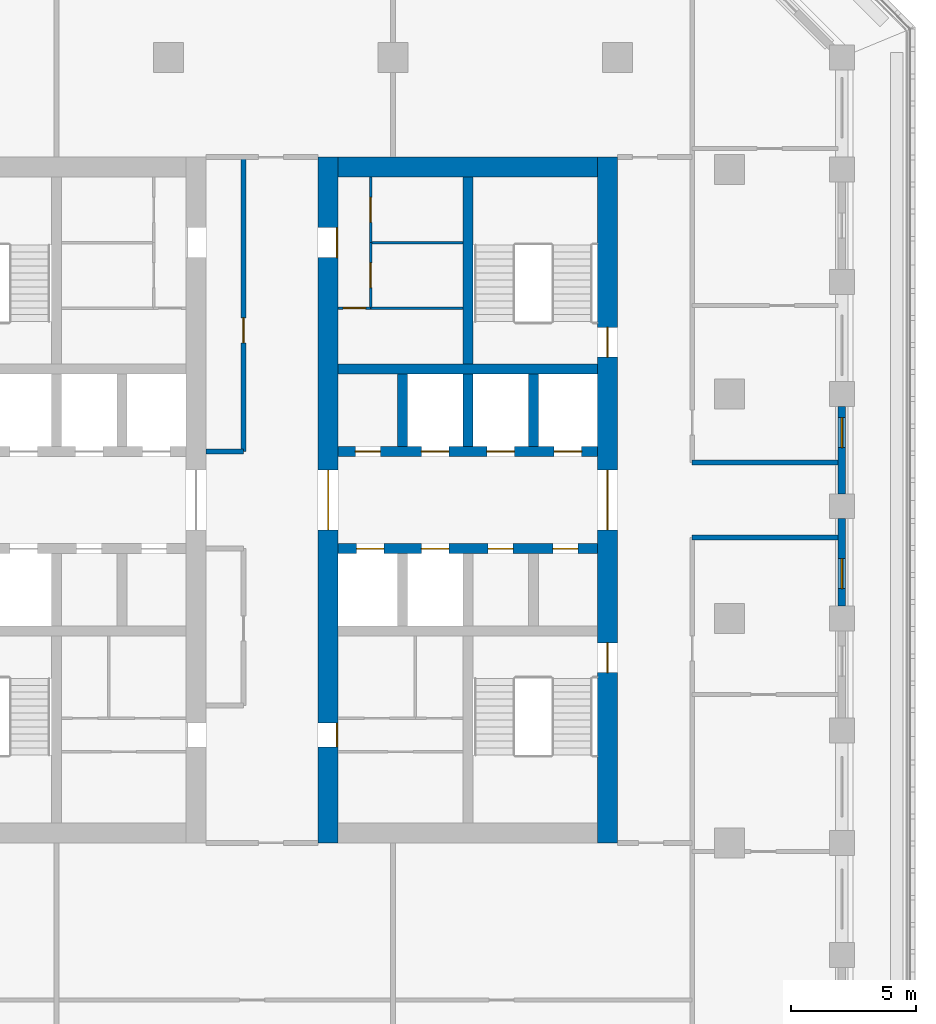
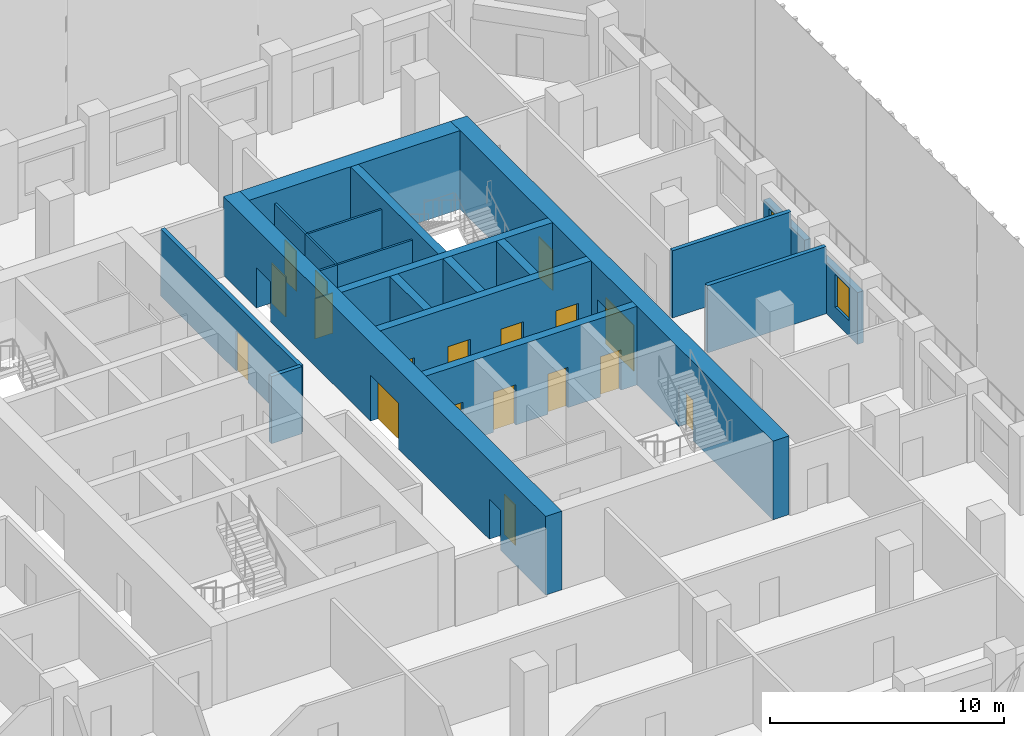
# One storey, part 7 of 18: 21 walls, 18 doors, 2 windows, 20 openings.
"""IFC4 building model written with IfcOpenShell, lengths in metres."""

from ifc_helpers import new_model, si_unit, direction, frame, frame_2d, origin, place, context, subcontext, project, spatial, rectangle, extrude, material, layer, layer_set, type_object, element, fill, save


model = new_model("IFC4")

# Units and contexts
model_context = context("Model", 3, precision=1e-05, world=origin(), true_north=direction((0.0, 1.0)))
body_context = subcontext(model_context, "Body", "Model", "MODEL_VIEW")
ifc_project = project(units=[si_unit("LENGTHUNIT", "METRE"), si_unit("AREAUNIT", "SQUARE_METRE"), si_unit("VOLUMEUNIT", "CUBIC_METRE"), si_unit("PLANEANGLEUNIT", "RADIAN"), si_unit("MASSUNIT", "GRAM", prefix="KILO")], contexts=[model_context])

# Site, building, storey
site_placement = place(None, origin())
site = spatial("IfcSite", under=ifc_project, at=site_placement, CompositionType="ELEMENT")
building_placement = place(site_placement, origin())
building = spatial("IfcBuilding", under=site, at=building_placement, Name="Corbel Stack Research Tower", CompositionType="ELEMENT")
storey_placement = place(building_placement, frame((0.0, 0.0, 181.39990234375)))
storey = spatial("IfcBuildingStorey", under=building, at=storey_placement, Name="L41", CompositionType="ELEMENT", Elevation=181.39990234375)

# Wall, openings, doors
ifc_material_1 = material(Name="Concrete C60/75", Category="concrete")
ifc_layer_1 = layer(ifc_material_1, 0.39990234375)
ifc_layer_set_1 = layer_set([ifc_layer_1], Name="Concrete C60/75")
wall_type_1 = type_object("IfcWallType", Name="CW-400-60", PredefinedType="SHEAR", material=ifc_layer_set_1)
wall_1_placement = place(storey_placement, frame((6.800048828125, 2.800048828125, 0.0), z_axis=(0.0, 0.0, 1.0), x_axis=(1.0, 0.0, 0.0)))
wall_1 = element("IfcWall", 1, at=wall_1_placement, inside=storey, type_object=wall_type_1, Name="East core wall, lobby south L41", PredefinedType="SHEAR", context=body_context, shape_type="SweptSolid", body=[
    extrude(rectangle(XDim=10.39990234375, YDim=0.39990234375, at=frame_2d((5.199951171875, 0.0))), origin(), (0.0, 0.0, 1.0), 4.10009765625),
])
opening_1_placement = place(wall_1_placement, frame((0.737548828125, 0.0, 0.0)))
opening_1 = element("IfcOpeningElement", 2, at=opening_1_placement, cuts=wall_1, Name="Opening LD-FS2", PredefinedType="OPENING", context=body_context, shape_type="SweptSolid", body=[
    extrude(rectangle(XDim=1.10009765625, YDim=2.10009765625, at=frame_2d((0.550048828125, 1.050048828125))), frame((0.0, 0.2099609375, 0.0), z_axis=(0.0, -1.0, 0.0), x_axis=(1.0, 0.0, 0.0)), (0.0, 0.0, 1.0), 0.419921875),
])
opening_2_placement = place(wall_1_placement, frame((3.33740234375, 0.0, 0.0)))
opening_2 = element("IfcOpeningElement", 3, at=opening_2_placement, cuts=wall_1, Name="Opening LD-GL2", PredefinedType="OPENING", context=body_context, shape_type="SweptSolid", body=[
    extrude(rectangle(XDim=1.10009765625, YDim=2.10009765625, at=frame_2d((0.550048828125, 1.050048828125))), frame((0.0, 0.2099609375, 0.0), z_axis=(0.0, -1.0, 0.0), x_axis=(1.0, 0.0, 0.0)), (0.0, 0.0, 1.0), 0.419921875),
])
opening_3_placement = place(wall_1_placement, frame((6.012451171875, 0.0, 0.0)))
opening_3 = element("IfcOpeningElement", 4, at=opening_3_placement, cuts=wall_1, Name="Opening CR-E24-S3", PredefinedType="OPENING", context=body_context, shape_type="SweptSolid", body=[
    extrude(rectangle(XDim=1.0, YDim=2.10009765625, at=frame_2d((0.5, 1.050048828125))), frame((0.0, 0.2099609375, 0.0), z_axis=(0.0, -1.0, 0.0), x_axis=(1.0, 0.0, 0.0)), (0.0, 0.0, 1.0), 0.419921875),
])
opening_4_placement = place(wall_1_placement, frame((8.612548828125, 0.0, 0.0)))
opening_4 = element("IfcOpeningElement", 5, at=opening_4_placement, cuts=wall_1, Name="Opening CR-E24-S4", PredefinedType="OPENING", context=body_context, shape_type="SweptSolid", body=[
    extrude(rectangle(XDim=1.0, YDim=2.10009765625, at=frame_2d((0.5, 1.050048828125))), frame((0.0, 0.2099609375, 0.0), z_axis=(0.0, -1.0, 0.0), x_axis=(1.0, 0.0, 0.0)), (0.0, 0.0, 1.0), 0.419921875),
])
ifc_material_2 = material(Name="Stainless steel landing door", Category="steel")
door_type_1 = type_object("IfcDoorType", Name="Lift landing door 1100 x 2100", OperationType="DOUBLE_DOOR_SLIDING", PredefinedType="DOOR", material=ifc_material_2)
door_1_placement = place(opening_1_placement, origin())
door_1 = element("IfcDoor", 6, at=door_1_placement, inside=storey, type_object=door_type_1, Name="Landing door FS2", OperationType="DOUBLE_DOOR_SLIDING", OverallHeight=2.10009765625, OverallWidth=1.10009765625, PredefinedType="DOOR", context=body_context, shape_type="SweptSolid", body=[
    extrude(rectangle(XDim=1.10009765625, YDim=2.10009765625, at=frame_2d((0.550048828125, 1.050048828125))), frame((0.0, 0.02490234375, 0.0), z_axis=(0.0, -1.0, 0.0), x_axis=(1.0, 0.0, 0.0)), (0.0, 0.0, 1.0), 0.050048828125),
])
fill(opening_1, door_1)
door_2_placement = place(opening_2_placement, origin())
door_2 = element("IfcDoor", 7, at=door_2_placement, inside=storey, type_object=door_type_1, Name="Landing door GL2", OperationType="DOUBLE_DOOR_SLIDING", OverallHeight=2.10009765625, OverallWidth=1.10009765625, PredefinedType="DOOR", context=body_context, shape_type="SweptSolid", body=[
    extrude(rectangle(XDim=1.10009765625, YDim=2.10009765625, at=frame_2d((0.550048828125, 1.050048828125))), frame((0.0, 0.02490234375, 0.0), z_axis=(0.0, -1.0, 0.0), x_axis=(1.0, 0.0, 0.0)), (0.0, 0.0, 1.0), 0.050048828125),
])
fill(opening_2, door_2)
ifc_material_3 = material(Name="Painted steel door", Category="steel")
door_type_2 = type_object("IfcDoorType", Name="Service door 1000 x 2100 FD60 left hand", OperationType="SINGLE_SWING_LEFT", PredefinedType="DOOR", material=ifc_material_3)
door_3_placement = place(opening_3_placement, origin())
door_3 = element("IfcDoor", 8, at=door_3_placement, inside=storey, type_object=door_type_2, Name="Records store door E core", OperationType="SINGLE_SWING_LEFT", OverallHeight=2.10009765625, OverallWidth=1.0, PredefinedType="DOOR", context=body_context, shape_type="SweptSolid", body=[
    extrude(rectangle(XDim=1.0, YDim=2.10009765625, at=frame_2d((0.5, 1.050048828125))), frame((0.0, 0.02490234375, 0.0), z_axis=(0.0, -1.0, 0.0), x_axis=(1.0, 0.0, 0.0)), (0.0, 0.0, 1.0), 0.050048828125),
])
fill(opening_3, door_3)
ifc_material_4 = material(Name="Painted steel door", Category="steel")
door_type_3 = type_object("IfcDoorType", Name="Service door 1000 x 2100 FD60 right hand", OperationType="SINGLE_SWING_RIGHT", PredefinedType="DOOR", material=ifc_material_4)
door_4_placement = place(opening_4_placement, origin())
door_4 = element("IfcDoor", 9, at=door_4_placement, inside=storey, type_object=door_type_3, Name="Electrical room door E core", OperationType="SINGLE_SWING_RIGHT", OverallHeight=2.10009765625, OverallWidth=1.0, PredefinedType="DOOR", context=body_context, shape_type="SweptSolid", body=[
    extrude(rectangle(XDim=1.0, YDim=2.10009765625, at=frame_2d((0.5, 1.050048828125))), frame((0.0, 0.02490234375, 0.0), z_axis=(0.0, -1.0, 0.0), x_axis=(1.0, 0.0, 0.0)), (0.0, 0.0, 1.0), 0.050048828125),
])
fill(opening_4, door_4)

wall_2_placement = place(storey_placement, frame((6.800048828125, 6.699951171875, 0.0), z_axis=(0.0, 0.0, 1.0), x_axis=(1.0, 0.0, 0.0)))
wall_2 = element("IfcWall", 10, at=wall_2_placement, inside=storey, type_object=wall_type_1, Name="East core wall, lobby north L41", PredefinedType="SHEAR", context=body_context, shape_type="SweptSolid", body=[
    extrude(rectangle(XDim=10.39990234375, YDim=0.39990234375, at=frame_2d((5.199951171875, 0.0))), origin(), (0.0, 0.0, 1.0), 4.10009765625),
])
opening_5_placement = place(wall_2_placement, frame((3.33740234375, 0.0, 0.0)))
opening_5 = element("IfcOpeningElement", 11, at=opening_5_placement, cuts=wall_2, Name="Opening LD-HR4", PredefinedType="OPENING", context=body_context, shape_type="SweptSolid", body=[
    extrude(rectangle(XDim=1.10009765625, YDim=2.10009765625, at=frame_2d((0.550048828125, 1.050048828125))), frame((0.0, 0.2099609375, 0.0), z_axis=(0.0, -1.0, 0.0), x_axis=(1.0, 0.0, 0.0)), (0.0, 0.0, 1.0), 0.419921875),
])
opening_6_placement = place(wall_2_placement, frame((5.96240234375, 0.0, 0.0)))
opening_6 = element("IfcOpeningElement", 12, at=opening_6_placement, cuts=wall_2, Name="Opening LD-HR5", PredefinedType="OPENING", context=body_context, shape_type="SweptSolid", body=[
    extrude(rectangle(XDim=1.10009765625, YDim=2.10009765625, at=frame_2d((0.550048828125, 1.050048828125))), frame((0.0, 0.2099609375, 0.0), z_axis=(0.0, -1.0, 0.0), x_axis=(1.0, 0.0, 0.0)), (0.0, 0.0, 1.0), 0.419921875),
])
opening_7_placement = place(wall_2_placement, frame((8.66259765625, 0.0, 0.0)))
opening_7 = element("IfcOpeningElement", 13, at=opening_7_placement, cuts=wall_2, Name="Opening LD-HR6", PredefinedType="OPENING", context=body_context, shape_type="SweptSolid", body=[
    extrude(rectangle(XDim=1.10009765625, YDim=2.10009765625, at=frame_2d((0.550048828125, 1.050048828125))), frame((0.0, 0.2099609375, 0.0), z_axis=(0.0, -1.0, 0.0), x_axis=(1.0, 0.0, 0.0)), (0.0, 0.0, 1.0), 0.419921875),
])
opening_8_placement = place(wall_2_placement, frame((0.6875, 0.0, 0.0)))
opening_8 = element("IfcOpeningElement", 14, at=opening_8_placement, cuts=wall_2, Name="Opening CR-E24-N1", PredefinedType="OPENING", context=body_context, shape_type="SweptSolid", body=[
    extrude(rectangle(XDim=1.0, YDim=2.10009765625, at=frame_2d((0.5, 1.050048828125))), frame((0.0, 0.2099609375, 0.0), z_axis=(0.0, -1.0, 0.0), x_axis=(1.0, 0.0, 0.0)), (0.0, 0.0, 1.0), 0.419921875),
])
door_5_placement = place(opening_5_placement, origin())
door_5 = element("IfcDoor", 15, at=door_5_placement, inside=storey, type_object=door_type_1, Name="Landing door HR4", OperationType="DOUBLE_DOOR_SLIDING", OverallHeight=2.10009765625, OverallWidth=1.10009765625, PredefinedType="DOOR", context=body_context, shape_type="SweptSolid", body=[
    extrude(rectangle(XDim=1.10009765625, YDim=2.10009765625, at=frame_2d((0.550048828125, 1.050048828125))), frame((0.0, 0.02490234375, 0.0), z_axis=(0.0, -1.0, 0.0), x_axis=(1.0, 0.0, 0.0)), (0.0, 0.0, 1.0), 0.050048828125),
])
fill(opening_5, door_5)
door_6_placement = place(opening_6_placement, origin())
door_6 = element("IfcDoor", 16, at=door_6_placement, inside=storey, type_object=door_type_1, Name="Landing door HR5", OperationType="DOUBLE_DOOR_SLIDING", OverallHeight=2.10009765625, OverallWidth=1.10009765625, PredefinedType="DOOR", context=body_context, shape_type="SweptSolid", body=[
    extrude(rectangle(XDim=1.10009765625, YDim=2.10009765625, at=frame_2d((0.550048828125, 1.050048828125))), frame((0.0, 0.02490234375, 0.0), z_axis=(0.0, -1.0, 0.0), x_axis=(1.0, 0.0, 0.0)), (0.0, 0.0, 1.0), 0.050048828125),
])
fill(opening_6, door_6)
door_7_placement = place(opening_7_placement, origin())
door_7 = element("IfcDoor", 17, at=door_7_placement, inside=storey, type_object=door_type_1, Name="Landing door HR6", OperationType="DOUBLE_DOOR_SLIDING", OverallHeight=2.10009765625, OverallWidth=1.10009765625, PredefinedType="DOOR", context=body_context, shape_type="SweptSolid", body=[
    extrude(rectangle(XDim=1.10009765625, YDim=2.10009765625, at=frame_2d((0.550048828125, 1.050048828125))), frame((0.0, 0.02490234375, 0.0), z_axis=(0.0, -1.0, 0.0), x_axis=(1.0, 0.0, 0.0)), (0.0, 0.0, 1.0), 0.050048828125),
])
fill(opening_7, door_7)
door_8_placement = place(opening_8_placement, origin())
door_8 = element("IfcDoor", 18, at=door_8_placement, inside=storey, type_object=door_type_2, Name="Pantry door E core", OperationType="SINGLE_SWING_LEFT", OverallHeight=2.10009765625, OverallWidth=1.0, PredefinedType="DOOR", context=body_context, shape_type="SweptSolid", body=[
    extrude(rectangle(XDim=1.0, YDim=2.10009765625, at=frame_2d((0.5, 1.050048828125))), frame((0.0, 0.02490234375, 0.0), z_axis=(0.0, -1.0, 0.0), x_axis=(1.0, 0.0, 0.0)), (0.0, 0.0, 1.0), 0.050048828125),
])
fill(opening_8, door_8)

# Walls
wall_3_placement = place(storey_placement, frame((6.800048828125, 10.0, 0.0), z_axis=(0.0, 0.0, 1.0), x_axis=(1.0, 0.0, 0.0)))
element("IfcWall", 19, at=wall_3_placement, inside=storey, type_object=wall_type_1, Name="East core wall, north row back L41", PredefinedType="SHEAR", context=body_context, shape_type="SweptSolid", body=[
    extrude(rectangle(XDim=10.39990234375, YDim=0.39990234375, at=frame_2d((5.199951171875, 0.0))), origin(), (0.0, 0.0, 1.0), 4.10009765625),
])
for number, where, z_axis, x_axis, name in (
    (20, (9.375, 6.89990234375, 0.0), (0.0, 0.0, 1.0), (0.0, 1.0, 0.0), "East core wall, north shaft 1 L41"),
    (21, (12.0, 6.89990234375, 0.0), (0.0, 0.0, 1.0), (0.0, 1.0, 0.0), "East core wall, north shaft 2 L41"),
    (22, (14.625, 6.89990234375, 0.0), (0.0, 0.0, 1.0), (0.0, 1.0, 0.0), "East core wall, north shaft 3 L41"),
):
    element("IfcWall", number, at=place(storey_placement, frame(where, z_axis=z_axis, x_axis=x_axis)), inside=storey, type_object=wall_type_1, Name=name, PredefinedType="SHEAR", context=body_context, shape_type="SweptSolid", body=[
        extrude(rectangle(XDim=2.900146484375, YDim=0.39990234375, at=frame_2d((1.4501953125, 0.0))), origin(), (0.0, 0.0, 1.0), 4.10009765625),
    ])
wall_4_placement = place(storey_placement, frame((12.0, 10.199951171875, 0.0), z_axis=(0.0, 0.0, 1.0), x_axis=(0.0, 1.0, 0.0)))
element("IfcWall", 23, at=wall_4_placement, inside=storey, type_object=wall_type_1, Name="East core wall, north stair and riser L41", PredefinedType="SHEAR", context=body_context, shape_type="SweptSolid", body=[
    extrude(rectangle(XDim=7.5, YDim=0.39990234375, at=frame_2d((3.75, 0.0))), origin(), (0.0, 0.0, 1.0), 4.10009765625),
])

# Wall, openings, doors
ifc_material_5 = material(Name="Concrete C60/75", Category="concrete")
ifc_layer_2 = layer(ifc_material_5, 0.800048828125)
ifc_layer_set_2 = layer_set([ifc_layer_2], Name="Concrete C60/75")
wall_type_2 = type_object("IfcWallType", Name="CW-800-60", PredefinedType="SHEAR", material=ifc_layer_set_2)
wall_5_placement = place(storey_placement, frame((6.39990234375, -9.0, 0.0), z_axis=(0.0, 0.0, 1.0), x_axis=(0.0, 1.0, 0.0)))
wall_5 = element("IfcWall", 24, at=wall_5_placement, inside=storey, type_object=wall_type_2, Name="East core wall, west face L41", PredefinedType="SHEAR", context=body_context, shape_type="SweptSolid", body=[
    extrude(rectangle(XDim=27.5, YDim=0.800048828125, at=frame_2d((13.75, 0.0))), origin(), (0.0, 0.0, 1.0), 4.10009765625),
])
opening_9_placement = place(wall_5_placement, frame((12.550048828125, 0.0, 0.0)))
opening_9 = element("IfcOpeningElement", 25, at=opening_9_placement, cuts=wall_5, Name="Opening CD-E-W", PredefinedType="OPENING", context=body_context, shape_type="SweptSolid", body=[
    extrude(rectangle(XDim=2.39990234375, YDim=2.39990234375, at=frame_2d((1.199951171875, 1.199951171875))), frame((0.0, 0.409912109375, 0.0), z_axis=(0.0, -1.0, 0.0), x_axis=(1.0, 0.0, 0.0)), (0.0, 0.0, 1.0), 0.820068359375),
])
opening_10_placement = place(wall_5_placement, frame((3.85009765625, 0.0, 0.0)))
opening_10 = element("IfcOpeningElement", 26, at=opening_10_placement, cuts=wall_5, Name="Opening CR-E24-W1-950", PredefinedType="OPENING", context=body_context, shape_type="SweptSolid", body=[
    extrude(rectangle(XDim=0.949951171875, YDim=2.10009765625, at=frame_2d((0.47509765625, 1.050048828125))), frame((0.0, 0.409912109375, 0.0), z_axis=(0.0, -1.0, 0.0), x_axis=(1.0, 0.0, 0.0)), (0.0, 0.0, 1.0), 0.820068359375),
])
opening_11_placement = place(wall_5_placement, frame((23.47509765625, 0.0, 0.0)))
opening_11 = element("IfcOpeningElement", 27, at=opening_11_placement, cuts=wall_5, Name="Opening CR-E24-R2-1200", PredefinedType="OPENING", context=body_context, shape_type="SweptSolid", body=[
    extrude(rectangle(XDim=1.199951171875, YDim=2.10009765625, at=frame_2d((0.60009765625, 1.050048828125))), frame((0.0, 0.409912109375, 0.0), z_axis=(0.0, -1.0, 0.0), x_axis=(1.0, 0.0, 0.0)), (0.0, 0.0, 1.0), 0.820068359375),
])
ifc_material_6 = material(Name="Painted steel fire door", Category="steel")
door_type_4 = type_object("IfcDoorType", Name="Lobby door pair 2400 x 2400 FD30S", OperationType="DOUBLE_DOOR_DOUBLE_SWING", PredefinedType="DOOR", material=ifc_material_6)
door_9_placement = place(opening_9_placement, origin())
door_9 = element("IfcDoor", 28, at=door_9_placement, inside=storey, type_object=door_type_4, Name="Lift lobby door E core W", OperationType="DOUBLE_DOOR_DOUBLE_SWING", OverallHeight=2.39990234375, OverallWidth=2.39990234375, PredefinedType="DOOR", context=body_context, shape_type="SweptSolid", body=[
    extrude(rectangle(XDim=2.39990234375, YDim=2.39990234375, at=frame_2d((1.199951171875, 1.199951171875))), frame((0.0, 0.02490234375, 0.0), z_axis=(0.0, -1.0, 0.0), x_axis=(1.0, 0.0, 0.0)), (0.0, 0.0, 1.0), 0.050048828125),
])
fill(opening_9, door_9)
ifc_material_7 = material(Name="Painted steel door", Category="steel")
door_type_5 = type_object("IfcDoorType", Name="Service door 1200 x 2100 FD30 left hand", OperationType="SINGLE_SWING_LEFT", PredefinedType="DOOR", material=ifc_material_7)
door_10_placement = place(opening_11_placement, origin())
door_10 = element("IfcDoor", 29, at=door_10_placement, inside=storey, type_object=door_type_5, Name="Service passage door E core", OperationType="SINGLE_SWING_LEFT", OverallHeight=2.10009765625, OverallWidth=1.199951171875, PredefinedType="DOOR", context=body_context, shape_type="SweptSolid", body=[
    extrude(rectangle(XDim=1.199951171875, YDim=2.10009765625, at=frame_2d((0.60009765625, 1.050048828125))), frame((0.0, -0.3251953125, 0.0), z_axis=(0.0, -1.0, 0.0), x_axis=(1.0, 0.0, 0.0)), (0.0, 0.0, 1.0), 0.050048828125),
])
fill(opening_11, door_10)
ifc_material_8 = material(Name="Painted timber door", Category="wood")
door_type_6 = type_object("IfcDoorType", Name="WC door 950 x 2100 right hand", OperationType="SINGLE_SWING_RIGHT", PredefinedType="DOOR", material=ifc_material_8)
door_11_placement = place(opening_10_placement, origin())
door_11 = element("IfcDoor", 30, at=door_11_placement, inside=storey, type_object=door_type_6, Name="WC lobby door E core", OperationType="SINGLE_SWING_RIGHT", OverallHeight=2.10009765625, OverallWidth=0.949951171875, PredefinedType="DOOR", context=body_context, shape_type="SweptSolid", body=[
    extrude(rectangle(XDim=0.949951171875, YDim=2.10009765625, at=frame_2d((0.47509765625, 1.050048828125))), frame((0.0, -0.3251953125, 0.0), z_axis=(0.0, -1.0, 0.0), x_axis=(1.0, 0.0, 0.0)), (0.0, 0.0, 1.0), 0.050048828125),
])
fill(opening_10, door_11)

wall_6_placement = place(storey_placement, frame((17.60009765625, -9.0, 0.0), z_axis=(0.0, 0.0, 1.0), x_axis=(0.0, 1.0, 0.0)))
wall_6 = element("IfcWall", 31, at=wall_6_placement, inside=storey, type_object=wall_type_2, Name="East core wall, east face L41", PredefinedType="SHEAR", context=body_context, shape_type="SweptSolid", body=[
    extrude(rectangle(XDim=27.5, YDim=0.800048828125, at=frame_2d((13.75, 0.0))), origin(), (0.0, 0.0, 1.0), 4.10009765625),
])
opening_12_placement = place(wall_6_placement, frame((12.550048828125, 0.0, 0.0)))
opening_12 = element("IfcOpeningElement", 32, at=opening_12_placement, cuts=wall_6, Name="Opening CD-E-E", PredefinedType="OPENING", context=body_context, shape_type="SweptSolid", body=[
    extrude(rectangle(XDim=2.39990234375, YDim=2.39990234375, at=frame_2d((1.199951171875, 1.199951171875))), frame((0.0, 0.409912109375, 0.0), z_axis=(0.0, -1.0, 0.0), x_axis=(1.0, 0.0, 0.0)), (0.0, 0.0, 1.0), 0.820068359375),
])
opening_13_placement = place(wall_6_placement, frame((6.824951171875, 0.0, 0.0)))
opening_13 = element("IfcOpeningElement", 33, at=opening_13_placement, cuts=wall_6, Name="Opening SD-ST-E1", PredefinedType="OPENING", context=body_context, shape_type="SweptSolid", body=[
    extrude(rectangle(XDim=1.199951171875, YDim=2.10009765625, at=frame_2d((0.60009765625, 1.050048828125))), frame((0.0, 0.409912109375, 0.0), z_axis=(0.0, -1.0, 0.0), x_axis=(1.0, 0.0, 0.0)), (0.0, 0.0, 1.0), 0.820068359375),
])
opening_14_placement = place(wall_6_placement, frame((19.47509765625, 0.0, 0.0)))
opening_14 = element("IfcOpeningElement", 34, at=opening_14_placement, cuts=wall_6, Name="Opening SD-ST-E2", PredefinedType="OPENING", context=body_context, shape_type="SweptSolid", body=[
    extrude(rectangle(XDim=1.199951171875, YDim=2.10009765625, at=frame_2d((0.60009765625, 1.050048828125))), frame((0.0, 0.409912109375, 0.0), z_axis=(0.0, -1.0, 0.0), x_axis=(1.0, 0.0, 0.0)), (0.0, 0.0, 1.0), 0.820068359375),
])
door_12_placement = place(opening_12_placement, origin())
door_12 = element("IfcDoor", 35, at=door_12_placement, inside=storey, type_object=door_type_4, Name="Lift lobby door E core E", OperationType="DOUBLE_DOOR_DOUBLE_SWING", OverallHeight=2.39990234375, OverallWidth=2.39990234375, PredefinedType="DOOR", context=body_context, shape_type="SweptSolid", body=[
    extrude(rectangle(XDim=2.39990234375, YDim=2.39990234375, at=frame_2d((1.199951171875, 1.199951171875))), frame((0.0, 0.02490234375, 0.0), z_axis=(0.0, -1.0, 0.0), x_axis=(1.0, 0.0, 0.0)), (0.0, 0.0, 1.0), 0.050048828125),
])
fill(opening_12, door_12)
ifc_material_9 = material(Name="Painted steel fire door", Category="steel")
door_type_7 = type_object("IfcDoorType", Name="Stair door 1200 x 2100 FD90 right hand", OperationType="SINGLE_SWING_RIGHT", PredefinedType="DOOR", material=ifc_material_9)
door_13_placement = place(opening_13_placement, frame((1.199951171875, 0.0, 0.0), z_axis=(0.0, 0.0, 1.0), x_axis=(-1.0, 0.0, 0.0)))
door_13 = element("IfcDoor", 36, at=door_13_placement, inside=storey, type_object=door_type_7, Name="Stair door ST-E1", OperationType="SINGLE_SWING_LEFT", OverallHeight=2.10009765625, OverallWidth=1.199951171875, PredefinedType="DOOR", context=body_context, shape_type="SweptSolid", body=[
    extrude(rectangle(XDim=1.199951171875, YDim=2.10009765625, at=frame_2d((0.60009765625, 1.050048828125))), frame((0.0, 0.02490234375, 0.0), z_axis=(0.0, -1.0, 0.0), x_axis=(1.0, 0.0, 0.0)), (0.0, 0.0, 1.0), 0.050048828125),
])
fill(opening_13, door_13)
door_14_placement = place(opening_14_placement, frame((1.199951171875, 0.0, 0.0), z_axis=(0.0, 0.0, 1.0), x_axis=(-1.0, 0.0, 0.0)))
door_14 = element("IfcDoor", 37, at=door_14_placement, inside=storey, type_object=door_type_7, Name="Stair door ST-E2", OperationType="SINGLE_SWING_LEFT", OverallHeight=2.10009765625, OverallWidth=1.199951171875, PredefinedType="DOOR", context=body_context, shape_type="SweptSolid", body=[
    extrude(rectangle(XDim=1.199951171875, YDim=2.10009765625, at=frame_2d((0.60009765625, 1.050048828125))), frame((0.0, 0.02490234375, 0.0), z_axis=(0.0, -1.0, 0.0), x_axis=(1.0, 0.0, 0.0)), (0.0, 0.0, 1.0), 0.050048828125),
])
fill(opening_14, door_14)

# Wall
wall_7_placement = place(storey_placement, frame((6.800048828125, 18.10009765625, 0.0), z_axis=(0.0, 0.0, 1.0), x_axis=(1.0, 0.0, 0.0)))
element("IfcWall", 38, at=wall_7_placement, inside=storey, type_object=wall_type_2, Name="East core wall, north end L41", PredefinedType="SHEAR", context=body_context, shape_type="SweptSolid", body=[
    extrude(rectangle(XDim=10.39990234375, YDim=0.800048828125, at=frame_2d((5.199951171875, 0.0))), origin(), (0.0, 0.0, 1.0), 4.10009765625),
])

# Wall, opening, door
ifc_material_10 = material(Name="Gypsum board")
ifc_layer_3 = layer(ifc_material_10, 0.10009765625)
ifc_layer_set_3 = layer_set([ifc_layer_3], Name="Gypsum board")
wall_type_3 = type_object("IfcWallType", Name="Core partition 100", PredefinedType="PARTITIONING", material=ifc_layer_set_3)
wall_8_placement = place(storey_placement, frame((6.800048828125, 12.449951171875, 0.0), z_axis=(0.0, 0.0, 1.0), x_axis=(1.0, 0.0, 0.0)))
wall_8 = element("IfcWall", 39, at=wall_8_placement, inside=storey, type_object=wall_type_3, Name="Core partition E", PredefinedType="PARTITIONING", context=body_context, shape_type="SweptSolid", body=[
    extrude(rectangle(XDim=1.300048828125, YDim=0.10009765625, at=frame_2d((0.64990234375, 0.0))), origin(), (0.0, 0.0, 1.0), 3.5),
])
opening_15_placement = place(wall_8_placement, frame((0.199951171875, 0.0, 0.0)))
opening_15 = element("IfcOpeningElement", 40, at=opening_15_placement, cuts=wall_8, Name="Opening CR-E24-R1-900", PredefinedType="OPENING", context=body_context, shape_type="SweptSolid", body=[
    extrude(rectangle(XDim=0.89990234375, YDim=2.10009765625, at=frame_2d((0.449951171875, 1.050048828125))), frame((0.0, 0.06005859375, 0.0), z_axis=(0.0, -1.0, 0.0), x_axis=(1.0, 0.0, 0.0)), (0.0, 0.0, 1.0), 0.1201171875),
])
ifc_material_11 = material(Name="Painted steel door", Category="steel")
door_type_8 = type_object("IfcDoorType", Name="Riser door 900 x 2100 FD60 right hand", OperationType="SINGLE_SWING_RIGHT", PredefinedType="DOOR", material=ifc_material_11)
door_15_placement = place(opening_15_placement, origin())
door_15 = element("IfcDoor", 41, at=door_15_placement, inside=storey, type_object=door_type_8, Name="Electrical riser door E core", OperationType="SINGLE_SWING_RIGHT", OverallHeight=2.10009765625, OverallWidth=0.89990234375, PredefinedType="DOOR", context=body_context, shape_type="SweptSolid", body=[
    extrude(rectangle(XDim=0.89990234375, YDim=2.10009765625, at=frame_2d((0.449951171875, 1.050048828125))), frame((0.0, 0.02490234375, 0.0), z_axis=(0.0, -1.0, 0.0), x_axis=(1.0, 0.0, 0.0)), (0.0, 0.0, 1.0), 0.050048828125),
])
fill(opening_15, door_15)

# Wall
wall_9_placement = place(storey_placement, frame((8.10009765625, 12.449951171875, 0.0), z_axis=(0.0, 0.0, 1.0), x_axis=(1.0, 0.0, 0.0)))
element("IfcWall", 42, at=wall_9_placement, inside=storey, type_object=wall_type_3, Name="Core partition E", PredefinedType="PARTITIONING", context=body_context, shape_type="SweptSolid", body=[
    extrude(rectangle(XDim=3.699951171875, YDim=0.10009765625, at=frame_2d((1.85009765625, 0.0))), origin(), (0.0, 0.0, 1.0), 3.5),
])

# Wall, opening, door
wall_10_placement = place(storey_placement, frame((8.10009765625, 12.449951171875, 0.0), z_axis=(0.0, 0.0, 1.0), x_axis=(0.0, 1.0, 0.0)))
wall_10 = element("IfcWall", 43, at=wall_10_placement, inside=storey, type_object=wall_type_3, Name="Core partition E", PredefinedType="PARTITIONING", context=body_context, shape_type="SweptSolid", body=[
    extrude(rectangle(XDim=2.625, YDim=0.10009765625, at=frame_2d((1.3125, 0.0))), origin(), (0.0, 0.0, 1.0), 3.5),
])
opening_16_placement = place(wall_10_placement, frame((0.8125, 0.0, 0.0)))
opening_16 = element("IfcOpeningElement", 44, at=opening_16_placement, cuts=wall_10, Name="Opening CR-E24-R3-1000", PredefinedType="OPENING", context=body_context, shape_type="SweptSolid", body=[
    extrude(rectangle(XDim=1.0, YDim=2.10009765625, at=frame_2d((0.5, 1.050048828125))), frame((0.0, 0.06005859375, 0.0), z_axis=(0.0, -1.0, 0.0), x_axis=(1.0, 0.0, 0.0)), (0.0, 0.0, 1.0), 0.1201171875),
])
ifc_material_12 = material(Name="Painted steel door", Category="steel")
door_type_9 = type_object("IfcDoorType", Name="Service door 1000 x 2100 FD30 right hand", OperationType="SINGLE_SWING_RIGHT", PredefinedType="DOOR", material=ifc_material_12)
door_16_placement = place(opening_16_placement, origin())
door_16 = element("IfcDoor", 45, at=door_16_placement, inside=storey, type_object=door_type_9, Name="Pantry door E core", OperationType="SINGLE_SWING_RIGHT", OverallHeight=2.10009765625, OverallWidth=1.0, PredefinedType="DOOR", context=body_context, shape_type="SweptSolid", body=[
    extrude(rectangle(XDim=1.0, YDim=2.10009765625, at=frame_2d((0.5, 1.050048828125))), frame((0.0, 0.02490234375, 0.0), z_axis=(0.0, -1.0, 0.0), x_axis=(1.0, 0.0, 0.0)), (0.0, 0.0, 1.0), 0.050048828125),
])
fill(opening_16, door_16)

wall_11_placement = place(storey_placement, frame((8.10009765625, 15.074951171875, 0.0), z_axis=(0.0, 0.0, 1.0), x_axis=(0.0, 1.0, 0.0)))
wall_11 = element("IfcWall", 46, at=wall_11_placement, inside=storey, type_object=wall_type_3, Name="Core partition E", PredefinedType="PARTITIONING", context=body_context, shape_type="SweptSolid", body=[
    extrude(rectangle(XDim=2.625, YDim=0.10009765625, at=frame_2d((1.3125, 0.0))), origin(), (0.0, 0.0, 1.0), 3.5),
])
opening_17_placement = place(wall_11_placement, frame((0.8125, 0.0, 0.0)))
opening_17 = element("IfcOpeningElement", 47, at=opening_17_placement, cuts=wall_11, Name="Opening CR-E24-R4-1000", PredefinedType="OPENING", context=body_context, shape_type="SweptSolid", body=[
    extrude(rectangle(XDim=1.0, YDim=2.10009765625, at=frame_2d((0.5, 1.050048828125))), frame((0.0, 0.06005859375, 0.0), z_axis=(0.0, -1.0, 0.0), x_axis=(1.0, 0.0, 0.0)), (0.0, 0.0, 1.0), 0.1201171875),
])
ifc_material_13 = material(Name="Painted steel door", Category="steel")
door_type_10 = type_object("IfcDoorType", Name="Service door 1000 x 2100 FD30 left hand", OperationType="SINGLE_SWING_LEFT", PredefinedType="DOOR", material=ifc_material_13)
door_17_placement = place(opening_17_placement, origin())
door_17 = element("IfcDoor", 48, at=door_17_placement, inside=storey, type_object=door_type_10, Name="Copy and supply store door E core", OperationType="SINGLE_SWING_LEFT", OverallHeight=2.10009765625, OverallWidth=1.0, PredefinedType="DOOR", context=body_context, shape_type="SweptSolid", body=[
    extrude(rectangle(XDim=1.0, YDim=2.10009765625, at=frame_2d((0.5, 1.050048828125))), frame((0.0, 0.02490234375, 0.0), z_axis=(0.0, -1.0, 0.0), x_axis=(1.0, 0.0, 0.0)), (0.0, 0.0, 1.0), 0.050048828125),
])
fill(opening_17, door_17)

# Wall
wall_12_placement = place(storey_placement, frame((8.10009765625, 15.074951171875, 0.0), z_axis=(0.0, 0.0, 1.0), x_axis=(1.0, 0.0, 0.0)))
element("IfcWall", 49, at=wall_12_placement, inside=storey, type_object=wall_type_3, Name="Core partition E", PredefinedType="PARTITIONING", context=body_context, shape_type="SweptSolid", body=[
    extrude(rectangle(XDim=3.699951171875, YDim=0.10009765625, at=frame_2d((1.85009765625, 0.0))), origin(), (0.0, 0.0, 1.0), 3.5),
])

# Wall, opening, door
ifc_material_14 = material(Name="Fire-rated gypsum board partition on steel studs", Category="steel")
ifc_layer_4 = layer(ifc_material_14, 0.199951171875)
ifc_layer_set_4 = layer_set([ifc_layer_4], Name="Fire-rated gypsum board partition on steel studs")
wall_type_4 = type_object("IfcWallType", Name="Fire-rated partition 200 EI 60", PredefinedType="PARTITIONING", material=ifc_layer_set_4)
wall_13_placement = place(storey_placement, frame((3.0, 6.699951171875, 0.0), z_axis=(0.0, 0.0, 1.0), x_axis=(0.0, 1.0, 0.0)))
wall_13 = element("IfcWall", 50, at=wall_13_placement, inside=storey, type_object=wall_type_4, Name="Partition L41-014", PredefinedType="PARTITIONING", context=body_context, shape_type="SweptSolid", body=[
    extrude(rectangle(XDim=11.800048828125, YDim=0.199951171875, at=frame_2d((5.89990234375, 0.0))), origin(), (0.0, 0.0, 1.0), 3.5),
])
opening_18_placement = place(wall_13_placement, frame((4.35009765625, 0.0, 0.0)))
opening_18 = element("IfcOpeningElement", 51, at=opening_18_placement, cuts=wall_13, Name="Opening B5V2-019", PredefinedType="OPENING", context=body_context, shape_type="SweptSolid", body=[
    extrude(rectangle(XDim=1.0, YDim=2.10009765625, at=frame_2d((0.5, 1.050048828125))), frame((0.0, 0.10986328125, 0.0), z_axis=(0.0, -1.0, 0.0), x_axis=(1.0, 0.0, 0.0)), (0.0, 0.0, 1.0), 0.219970703125),
])
ifc_material_15 = material(Name="Painted steel fire door", Category="steel")
door_type_11 = type_object("IfcDoorType", Name="Fire door FD30S 1000 x 2100", OperationType="NOTDEFINED", PredefinedType="DOOR", material=ifc_material_15)
door_18_placement = place(opening_18_placement, origin())
door_18 = element("IfcDoor", 52, at=door_18_placement, inside=storey, type_object=door_type_11, Name="Door B5V2-019", OperationType="SINGLE_SWING_LEFT", OverallHeight=2.10009765625, OverallWidth=1.0, PredefinedType="DOOR", context=body_context, shape_type="SweptSolid", body=[
    extrude(rectangle(XDim=1.0, YDim=2.10009765625, at=frame_2d((0.5, 1.050048828125))), frame((0.0, 0.02490234375, 0.0), z_axis=(0.0, -1.0, 0.0), x_axis=(1.0, 0.0, 0.0)), (0.0, 0.0, 1.0), 0.050048828125),
])
fill(opening_18, door_18)

# Walls
for number, where, z_axis, x_axis, name in (
    (53, (21.0, 3.25, 0.0), (0.0, 0.0, 1.0), (1.0, 0.0, 0.0), "Partition L41-035"),
    (54, (21.0, 6.25, 0.0), (0.0, 0.0, 1.0), (1.0, 0.0, 0.0), "Partition L41-037"),
):
    element("IfcWall", number, at=place(storey_placement, frame(where, z_axis=z_axis, x_axis=x_axis)), inside=storey, type_object=wall_type_4, Name=name, PredefinedType="PARTITIONING", context=body_context, shape_type="SweptSolid", body=[
        extrude(rectangle(XDim=5.85009765625, YDim=0.199951171875, at=frame_2d((2.925048828125, 0.0))), origin(), (0.0, 0.0, 1.0), 3.5),
    ])
wall_14_placement = place(storey_placement, frame((1.5, 6.699951171875, 0.0), z_axis=(0.0, 0.0, 1.0), x_axis=(1.0, 0.0, 0.0)))
element("IfcWall", 55, at=wall_14_placement, inside=storey, type_object=wall_type_4, Name="Partition L41-038", PredefinedType="PARTITIONING", context=body_context, shape_type="SweptSolid", body=[
    extrude(rectangle(XDim=1.5, YDim=0.199951171875, at=frame_2d((0.75, 0.0))), origin(), (0.0, 0.0, 1.0), 3.5),
])

# Wall, opening, window
ifc_material_16 = material(Name="Concrete C45/55", Category="concrete")
ifc_layer_5 = layer(ifc_material_16, 0.300048828125)
ifc_layer_set_5 = layer_set([ifc_layer_5], Name="Concrete C45/55")
wall_type_5 = type_object("IfcWallType", Name="Terracotta-faced concrete wall 300", PredefinedType="SOLIDWALL", material=ifc_layer_set_5)
wall_15_placement = place(storey_placement, frame((27.0, 4.0, 0.0), z_axis=(0.0, 0.0, 1.0), x_axis=(0.0, -1.0, 0.0)))
wall_15 = element("IfcWall", 56, at=wall_15_placement, inside=storey, type_object=wall_type_5, Name="Facade wall L41 E06", PredefinedType="SOLIDWALL", context=body_context, shape_type="SweptSolid", body=[
    extrude(rectangle(XDim=3.5, YDim=0.300048828125, at=frame_2d((1.75, 0.0))), origin(), (0.0, 0.0, 1.0), 2.7001953125),
])
opening_19_placement = place(wall_15_placement, frame((1.60009765625, 0.0, 0.800048828125)))
opening_19 = element("IfcOpeningElement", 57, at=opening_19_placement, cuts=wall_15, Name="Opening W2", PredefinedType="OPENING", context=body_context, shape_type="SweptSolid", body=[
    extrude(rectangle(XDim=1.199951171875, YDim=1.699951171875, at=frame_2d((0.60009765625, 0.85009765625))), frame((0.0, 0.159912109375, 0.0), z_axis=(0.0, -1.0, 0.0), x_axis=(1.0, 0.0, 0.0)), (0.0, 0.0, 1.0), 0.320068359375),
])
ifc_material_17 = material(Name="Aluminium frame, clear double glazing", Category="aluminium")
window_type = type_object("IfcWindowType", Name="Window W2 1200 x 1700", PartitioningType="SINGLE_PANEL", PredefinedType="WINDOW", material=ifc_material_17)
window_1_placement = place(opening_19_placement, origin())
window_1 = element("IfcWindow", 58, at=window_1_placement, inside=storey, type_object=window_type, Name="Window W2 L41 E06", OverallHeight=1.699951171875, OverallWidth=1.199951171875, PartitioningType="SINGLE_PANEL", PredefinedType="WINDOW", context=body_context, shape_type="SweptSolid", body=[
    extrude(rectangle(XDim=1.199951171875, YDim=1.699951171875, at=frame_2d((0.60009765625, 0.85009765625))), frame((0.0, 0.030029296875, 0.0), z_axis=(0.0, -1.0, 0.0), x_axis=(1.0, 0.0, 0.0)), (0.0, 0.0, 1.0), 0.06005859375),
])
fill(opening_19, window_1)

wall_16_placement = place(storey_placement, frame((27.0, 8.5, 0.0), z_axis=(0.0, 0.0, 1.0), x_axis=(0.0, -1.0, 0.0)))
wall_16 = element("IfcWall", 59, at=wall_16_placement, inside=storey, type_object=wall_type_5, Name="Facade wall L41 E07", PredefinedType="SOLIDWALL", context=body_context, shape_type="SweptSolid", body=[
    extrude(rectangle(XDim=3.5, YDim=0.300048828125, at=frame_2d((1.75, 0.0))), origin(), (0.0, 0.0, 1.0), 2.7001953125),
])
opening_20_placement = place(wall_16_placement, frame((0.449951171875, 0.0, 0.800048828125)))
opening_20 = element("IfcOpeningElement", 60, at=opening_20_placement, cuts=wall_16, Name="Opening W2", PredefinedType="OPENING", context=body_context, shape_type="SweptSolid", body=[
    extrude(rectangle(XDim=1.199951171875, YDim=1.699951171875, at=frame_2d((0.60009765625, 0.85009765625))), frame((0.0, 0.159912109375, 0.0), z_axis=(0.0, -1.0, 0.0), x_axis=(1.0, 0.0, 0.0)), (0.0, 0.0, 1.0), 0.320068359375),
])
window_2_placement = place(opening_20_placement, origin())
window_2 = element("IfcWindow", 61, at=window_2_placement, inside=storey, type_object=window_type, Name="Window W2 L41 E07", OverallHeight=1.699951171875, OverallWidth=1.199951171875, PartitioningType="SINGLE_PANEL", PredefinedType="WINDOW", context=body_context, shape_type="SweptSolid", body=[
    extrude(rectangle(XDim=1.199951171875, YDim=1.699951171875, at=frame_2d((0.60009765625, 0.85009765625))), frame((0.0, 0.030029296875, 0.0), z_axis=(0.0, -1.0, 0.0), x_axis=(1.0, 0.0, 0.0)), (0.0, 0.0, 1.0), 0.06005859375),
])
fill(opening_20, window_2)

save(model, "model.ifc")
